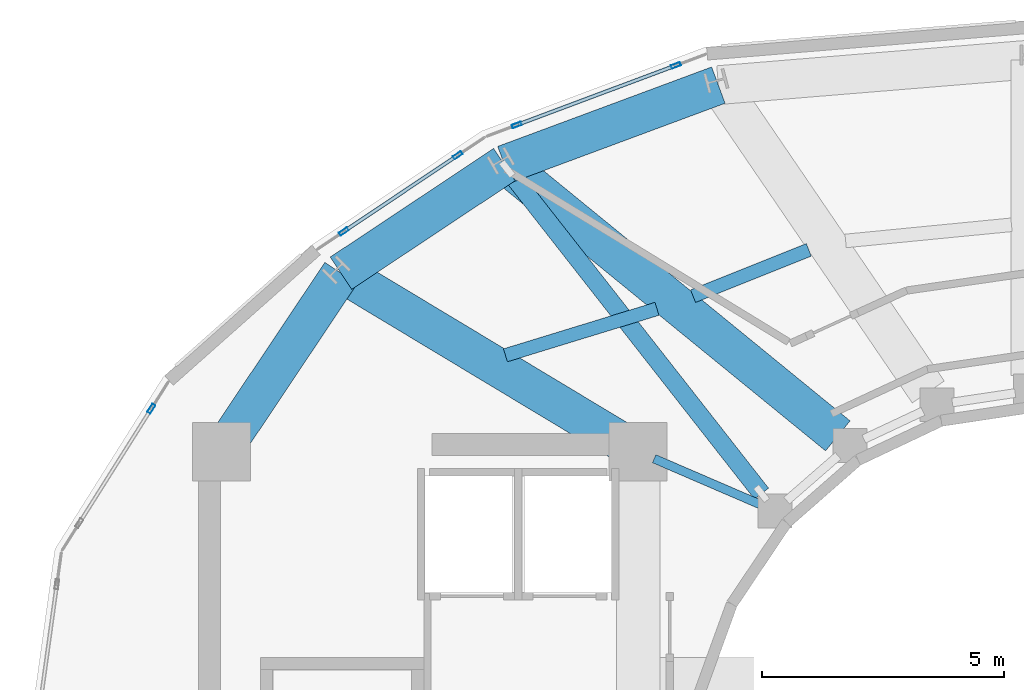
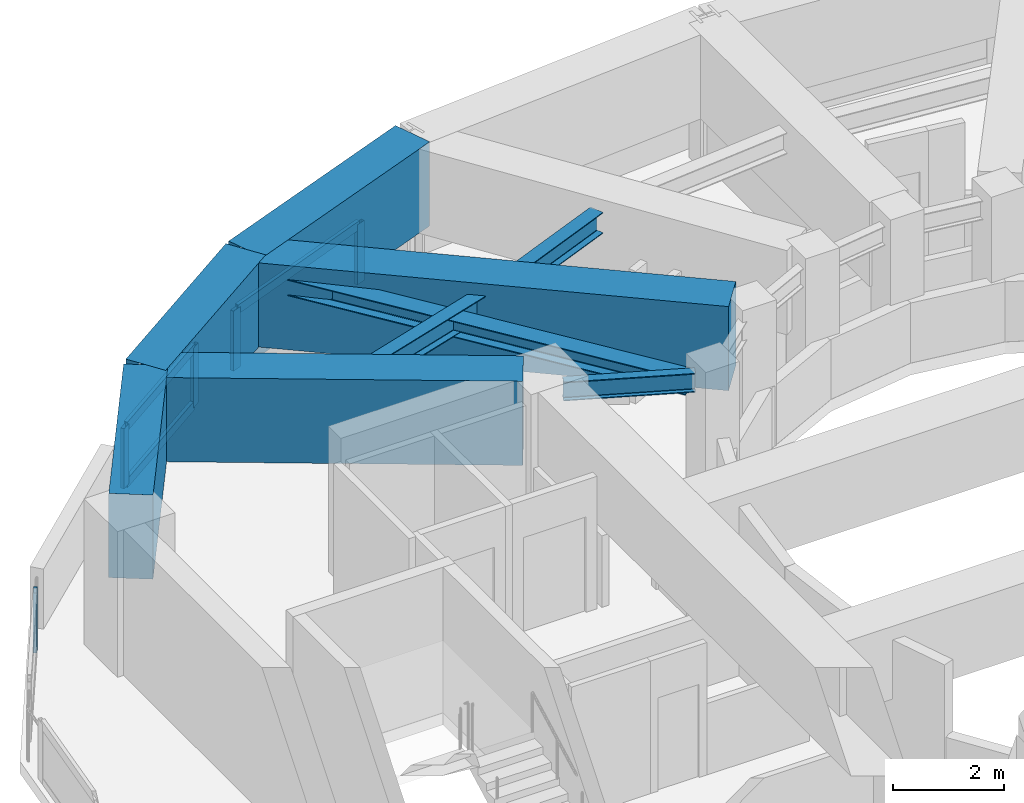
# One storey, part 8 of 18: 10 members, 8 beams, 3 elements without a shape of their own.
"""IFC4 building model written with IfcOpenShell, lengths in metres."""

from ifc_helpers import new_model, si_unit, direction, frame, origin, origin_2d, place, context, subcontext, project, spatial, rectangle, hollow_rectangle, i_section, extrude, material, layer, layer_set, material_profile, profile_set, type_object, element, aggregate, save


model = new_model("IFC4")

# Units and contexts
model_context = context("Model", 3, precision=1e-05, world=origin(), true_north=direction((0.0, 1.0)))
body_context = subcontext(model_context, "Body", "Model", "MODEL_VIEW")
ifc_project = project(units=[si_unit("LENGTHUNIT", "METRE"), si_unit("AREAUNIT", "SQUARE_METRE"), si_unit("VOLUMEUNIT", "CUBIC_METRE"), si_unit("PLANEANGLEUNIT", "RADIAN"), si_unit("MASSUNIT", "GRAM", prefix="KILO")], contexts=[model_context])

# Site, building, storey
site_placement = place(None, origin())
site = spatial("IfcSite", under=ifc_project, at=site_placement, CompositionType="ELEMENT")
building_placement = place(site_placement, origin())
building = spatial("IfcBuilding", under=site, at=building_placement, Name="Solvane Sanctuary Tower", CompositionType="ELEMENT")
storey_placement = place(building_placement, frame((0.0, 0.0, 263.60009765625)))
storey = spatial("IfcBuildingStorey", under=building, at=storey_placement, Name="L80", CompositionType="ELEMENT", Elevation=263.60009765625)

# Beams
ifc_material_1 = material(Name="Steel ASTM A992 Grade 50", Category="steel")
ifc_material_profile_1 = material_profile(ifc_material_1, i_section(OverallWidth=0.180908203125, OverallDepth=0.4169921875, WebThickness=0.010986328125, FlangeThickness=0.018310546875, FilletRadius=0.012939453125, at=origin_2d()), Name="W16X57")
ifc_profile_set_1 = profile_set([ifc_material_profile_1], Name="Steel ASTM A992 Grade 50")
beam_type_1 = type_object("IfcBeamType", Name="Beam B-ROOF-BM W16X57", PredefinedType="BEAM", material=ifc_profile_set_1)
beam_1_placement = place(storey_placement, frame((24.230712890625, 30.0576171875, 2.7294921875), z_axis=(0.918283854026, -0.395922673554, 0.0), x_axis=(0.395922673554, 0.918283854026, 0.0)))
element("IfcBeam", 1, at=beam_1_placement, inside=storey, type_object=beam_type_1, Name="L80 Inner Light-Well Ring Beam CW3-IC07", PredefinedType="BEAM", context=body_context, shape_type="SweptSolid", body=[
    extrude(i_section(OverallWidth=0.180908203125, OverallDepth=0.4169921875, WebThickness=0.010986328125, FlangeThickness=0.018310546875, FilletRadius=0.012939453125, at=origin_2d()), origin(), (0.0, 0.0, 1.0), 2.396240234375),
])
ifc_material_profile_2 = material_profile(ifc_material_1, i_section(OverallWidth=0.280029296875, OverallDepth=0.462890625, WebThickness=0.0107421875, FlangeThickness=0.017333984375, FilletRadius=0.013916015625, at=origin_2d()), Name="W18X76")
ifc_profile_set_2 = profile_set([ifc_material_profile_2], Name="Steel ASTM A992 Grade 50")
beam_type_2 = type_object("IfcBeamType", Name="Beam B-SEC-JOIST W18X76", PredefinedType="JOIST", material=ifc_profile_set_2)
beam_2_placement = place(storey_placement, frame((21.160888671875, 32.19189453125, 2.706298828125), z_axis=(0.956067313295, 0.293147219755, 0.0), x_axis=(-0.293147219755, 0.956067313295, 0.0)))
element("IfcBeam", 2, at=beam_2_placement, inside=storey, type_object=beam_type_2, Name="L80 Secondary Circumferential Joist 07-06", PredefinedType="JOIST", context=body_context, shape_type="SweptSolid", body=[
    extrude(i_section(OverallWidth=0.280029296875, OverallDepth=0.462890625, WebThickness=0.0107421875, FlangeThickness=0.017333984375, FilletRadius=0.013916015625, at=origin_2d()), origin(), (0.0, 0.0, 1.0), 3.272216796875),
])
beam_3_placement = place(storey_placement, frame((25.03369140625, 33.413330078125, 2.706298828125), z_axis=(0.928646716037, 0.370965330987, 0.0), x_axis=(-0.370965330987, 0.928646716037, 0.0)))
element("IfcBeam", 3, at=beam_3_placement, inside=storey, type_object=beam_type_2, Name="L80 Secondary Circumferential Joist 06-05", PredefinedType="JOIST", context=body_context, shape_type="SweptSolid", body=[
    extrude(i_section(OverallWidth=0.280029296875, OverallDepth=0.462890625, WebThickness=0.0107421875, FlangeThickness=0.017333984375, FilletRadius=0.013916015625, at=origin_2d()), origin(), (0.0, 0.0, 1.0), 2.5732421875),
])
ifc_material_2 = material(Name="Concrete C70/85", Category="concrete")
ifc_material_profile_3 = material_profile(ifc_material_2, rectangle(XDim=0.800048828125, YDim=1.85009765625, at=origin_2d()), Name="RC800X1850")
ifc_profile_set_3 = profile_set([ifc_material_profile_3], Name="Concrete C70/85")
beam_type_3 = type_object("IfcBeamType", Name="Beam B-XFER-BLK RC800X1850", PredefinedType="BEAM", material=ifc_profile_set_3)
beam_4_placement = place(storey_placement, frame((28.022216796875, 30.52880859375, 2.27490234375), z_axis=(-0.774760127624, 0.632255284394, 0.0), x_axis=(-0.632255284394, -0.774760127624, 0.0)))
element("IfcBeam", 4, at=beam_4_placement, inside=storey, type_object=beam_type_3, Name="L80 Block-Shift Radial Transfer Girder 06A", PredefinedType="BEAM", context=body_context, shape_type="SweptSolid", body=[
    extrude(rectangle(XDim=0.800048828125, YDim=1.85009765625, at=origin_2d()), origin(), (0.0, 0.0, 1.0), 8.88134765625),
])
beam_5_placement = place(storey_placement, frame((23.591552734375, 30.3857421875, 2.27490234375), z_axis=(-0.856761950068, 0.515712091108, 0.0), x_axis=(-0.515712091108, -0.856761950068, 0.0)))
element("IfcBeam", 5, at=beam_5_placement, inside=storey, type_object=beam_type_3, Name="L80 Block-Shift Radial Transfer Girder 07A", PredefinedType="BEAM", context=body_context, shape_type="SweptSolid", body=[
    extrude(rectangle(XDim=0.800048828125, YDim=1.85009765625, at=origin_2d()), origin(), (0.0, 0.0, 1.0), 6.815673828125),
])
beam_6_placement = place(storey_placement, frame((15.5, 30.499267578125, 2.27490234375), z_axis=(0.555943545236, 0.831220051798, 0.0), x_axis=(-0.831220051798, 0.555943545236, 0.0)))
element("IfcBeam", 6, at=beam_6_placement, inside=storey, type_object=beam_type_3, Name="L80 Perimeter Step Transfer Ring CW4-NTC07", PredefinedType="BEAM", context=body_context, shape_type="SweptSolid", body=[
    extrude(rectangle(XDim=0.800048828125, YDim=1.85009765625, at=origin_2d()), origin(), (0.0, 0.0, 1.0), 4.076171875),
])
beam_7_placement = place(storey_placement, frame((17.76611328125, 33.887451171875, 2.27490234375), z_axis=(0.832902394686, 0.553419913742, 0.0), x_axis=(-0.553419913742, 0.832902394686, 0.0)))
element("IfcBeam", 7, at=beam_7_placement, inside=storey, type_object=beam_type_3, Name="L80 Perimeter Step Transfer Ring NTC07-NTC06", PredefinedType="BEAM", context=body_context, shape_type="SweptSolid", body=[
    extrude(rectangle(XDim=0.800048828125, YDim=1.85009765625, at=origin_2d()), origin(), (0.0, 0.0, 1.0), 4.050537109375),
])
beam_8_placement = place(storey_placement, frame((21.139892578125, 36.129150390625, 2.27490234375), z_axis=(0.937427688281, 0.348180024188, 0.0), x_axis=(-0.348180024188, 0.937427688281, 0.0)))
element("IfcBeam", 8, at=beam_8_placement, inside=storey, type_object=beam_type_3, Name="L80 Perimeter Step Transfer Ring NTC06-NTC05", PredefinedType="BEAM", context=body_context, shape_type="SweptSolid", body=[
    extrude(rectangle(XDim=0.800048828125, YDim=1.85009765625, at=origin_2d()), origin(), (0.0, 0.0, 1.0), 4.711181640625),
])

# Member
ifc_material_profile_4 = material_profile(ifc_material_1, i_section(OverallWidth=0.368896484375, OverallDepth=0.35595703125, WebThickness=0.01123046875, FlangeThickness=0.01806640625, FilletRadius=0.02490234375, at=origin_2d()), Name="W14X90")
ifc_profile_set_4 = profile_set([ifc_material_profile_4], Name="Steel ASTM A992 Grade 50")
member_type_1 = type_object("IfcMemberType", Name="Member M-CROWN-TIE W14X90", PredefinedType="CHORD", material=ifc_profile_set_4)
member_1_placement = place(storey_placement, frame((26.444580078125, 29.33984375, 2.540283203125), z_axis=(-0.61657715967, 0.786962266432, 0.022869136088), x_axis=(-0.787168136792, -0.616738457062, 0.0)))
element("IfcMember", 9, at=member_1_placement, inside=storey, type_object=member_type_1, Name="L80 Crown Bracing Tie 07", PredefinedType="CHORD", context=body_context, shape_type="SweptSolid", body=[
    extrude(i_section(OverallWidth=0.368896484375, OverallDepth=0.35595703125, WebThickness=0.01123046875, FlangeThickness=0.01806640625, FilletRadius=0.02490234375, at=origin_2d()), origin(), (0.0, 0.0, 1.0), 8.50830078125),
])

# Curtain wall, members
ifc_material_3 = material(Name="Anodised Aluminium 6063-T6", Category="aluminium")
ifc_layer = layer(ifc_material_3, 0.219970703125, Name="Anodised Aluminium 6063-T6")
ifc_layer_set = layer_set([ifc_layer], Name="Anodised Aluminium 6063-T6")
curtain_wall_type = type_object("IfcCurtainWallType", Name="Curtain Wall CW-CROWN", PredefinedType="NOTDEFINED", material=ifc_layer_set)
curtain_wall_1_placement = place(storey_placement, origin())
curtain_wall_1 = element("IfcCurtainWall", 10, at=curtain_wall_1_placement, inside=storey, type_object=curtain_wall_type, Name="L80 Crown Fritted Lantern Curtain Wall 07", PredefinedType="NOTDEFINED")
ifc_material_profile_5 = material_profile(ifc_material_3, hollow_rectangle(XDim=0.074951171875, YDim=0.199951171875, WallThickness=0.00390625, at=origin_2d()), Name="ALU200X75X4")
ifc_profile_set_5 = profile_set([ifc_material_profile_5], Name="Anodised Aluminium 6063-T6")
member_type_2 = type_object("IfcMemberType", Name="Member M-CW-MUL-1 ALU200X75X4", PredefinedType="MULLION", material=ifc_profile_set_5)
member_2_placement = place(storey_placement, frame((24.680419921875, 38.17626953125, 0.0), z_axis=(0.0, 0.0, 1.0), x_axis=(0.350518151106, -0.936555938396, 0.0)))
member_2 = element("IfcMember", 11, at=member_2_placement, type_object=member_type_2, Name="CW-CROWN mullion 1", PredefinedType="MULLION", context=body_context, shape_type="SweptSolid", body=[
    extrude(hollow_rectangle(XDim=0.074951171875, YDim=0.199951171875, WallThickness=0.00390625, at=origin_2d()), origin(), (0.0, 0.0, 1.0), 1.31982421875),
])
member_3_placement = place(storey_placement, frame((21.392822265625, 36.946044921875, 0.0), z_axis=(0.0, 0.0, 1.0), x_axis=(0.350518151106, -0.936555938396, 0.0)))
member_3 = element("IfcMember", 12, at=member_3_placement, type_object=member_type_2, Name="CW-CROWN mullion 2", PredefinedType="MULLION", context=body_context, shape_type="SweptSolid", body=[
    extrude(hollow_rectangle(XDim=0.074951171875, YDim=0.199951171875, WallThickness=0.00390625, at=origin_2d()), origin(), (0.0, 0.0, 1.0), 1.31982421875),
])

curtain_wall_2_placement = place(storey_placement, origin())
curtain_wall_2 = element("IfcCurtainWall", 13, at=curtain_wall_2_placement, inside=storey, type_object=curtain_wall_type, Name="L80 Crown Fritted Lantern Curtain Wall 08", PredefinedType="NOTDEFINED")
member_4_placement = place(storey_placement, frame((20.177734375, 36.322509765625, 0.0), z_axis=(0.0, 0.0, 1.0), x_axis=(0.556279331945, -0.830995369933, 0.0)))
member_4 = element("IfcMember", 14, at=member_4_placement, type_object=member_type_2, Name="CW-CROWN mullion 1", PredefinedType="MULLION", context=body_context, shape_type="SweptSolid", body=[
    extrude(hollow_rectangle(XDim=0.074951171875, YDim=0.199951171875, WallThickness=0.00390625, at=origin_2d()), origin(), (0.0, 0.0, 1.0), 1.31982421875),
])
member_5_placement = place(storey_placement, frame((17.824951171875, 34.74755859375, 0.0), z_axis=(0.0, 0.0, 1.0), x_axis=(0.556279331945, -0.830995369933, 0.0)))
member_5 = element("IfcMember", 15, at=member_5_placement, type_object=member_type_2, Name="CW-CROWN mullion 2", PredefinedType="MULLION", context=body_context, shape_type="SweptSolid", body=[
    extrude(hollow_rectangle(XDim=0.074951171875, YDim=0.199951171875, WallThickness=0.00390625, at=origin_2d()), origin(), (0.0, 0.0, 1.0), 1.31982421875),
])

# Curtain wall, member
curtain_wall_3_placement = place(storey_placement, origin())
curtain_wall_3 = element("IfcCurtainWall", 16, at=curtain_wall_3_placement, inside=storey, type_object=curtain_wall_type, Name="L80 Crown Fritted Lantern Curtain Wall 10", PredefinedType="NOTDEFINED")
member_6_placement = place(storey_placement, frame((13.85107421875, 31.089599609375, 0.0), z_axis=(0.0, 0.0, 1.0), x_axis=(0.846086642635, -0.533045395022, 0.0)))
member_6 = element("IfcMember", 17, at=member_6_placement, type_object=member_type_2, Name="CW-CROWN mullion 1", PredefinedType="MULLION", context=body_context, shape_type="SweptSolid", body=[
    extrude(hollow_rectangle(XDim=0.074951171875, YDim=0.199951171875, WallThickness=0.00390625, at=origin_2d()), origin(), (0.0, 0.0, 1.0), 1.31982421875),
])
aggregate(curtain_wall_3, [member_6])

# Member
ifc_material_profile_6 = material_profile(ifc_material_3, hollow_rectangle(XDim=0.074951171875, YDim=0.199951171875, WallThickness=0.00390625, at=origin_2d()), Name="ALU200X75X4")
ifc_profile_set_6 = profile_set([ifc_material_profile_6], Name="Anodised Aluminium 6063-T6")
member_type_3 = type_object("IfcMemberType", Name="Member M-CW-TRN-2 ALU200X75X4", PredefinedType="USERDEFINED", material=ifc_profile_set_6)
member_7_placement = place(storey_placement, frame((24.645263671875, 38.163330078125, 0.037353515625), z_axis=(-0.936533460905, -0.350578203266, 0.0), x_axis=(0.350578203266, -0.936533460905, 0.0)))
member_7 = element("IfcMember", 18, at=member_7_placement, type_object=member_type_3, Name="CW-CROWN transom 1.1", ObjectType="TRANSOM", PredefinedType="USERDEFINED", context=body_context, shape_type="SweptSolid", body=[
    extrude(hollow_rectangle(XDim=0.074951171875, YDim=0.199951171875, WallThickness=0.00390625, at=origin_2d()), origin(), (0.0, 0.0, 1.0), 3.435302734375),
])

member_8_placement = place(storey_placement, frame((24.645263671875, 38.163330078125, 1.282470703125), z_axis=(-0.936533460905, -0.350578203266, 0.0), x_axis=(0.350578203266, -0.936533460905, 0.0)))
member_8 = element("IfcMember", 19, at=member_8_placement, type_object=member_type_3, Name="CW-CROWN transom 1.2", ObjectType="TRANSOM", PredefinedType="USERDEFINED", context=body_context, shape_type="SweptSolid", body=[
    extrude(hollow_rectangle(XDim=0.074951171875, YDim=0.199951171875, WallThickness=0.00390625, at=origin_2d()), origin(), (0.0, 0.0, 1.0), 3.435302734375),
])

aggregate(curtain_wall_1, [member_2, member_3, member_7, member_8])

member_9_placement = place(storey_placement, frame((20.146484375, 36.3017578125, 0.037353515625), z_axis=(-0.830972250361, -0.556313867461, 0.0), x_axis=(0.556313867461, -0.830972250361, 0.0)))
member_9 = element("IfcMember", 20, at=member_9_placement, type_object=member_type_3, Name="CW-CROWN transom 1.1", ObjectType="TRANSOM", PredefinedType="USERDEFINED", context=body_context, shape_type="SweptSolid", body=[
    extrude(hollow_rectangle(XDim=0.074951171875, YDim=0.199951171875, WallThickness=0.00390625, at=origin_2d()), origin(), (0.0, 0.0, 1.0), 2.75634765625),
])

member_10_placement = place(storey_placement, frame((20.146484375, 36.3017578125, 1.282470703125), z_axis=(-0.830972250361, -0.556313867461, 0.0), x_axis=(0.556313867461, -0.830972250361, 0.0)))
member_10 = element("IfcMember", 21, at=member_10_placement, type_object=member_type_3, Name="CW-CROWN transom 1.2", ObjectType="TRANSOM", PredefinedType="USERDEFINED", context=body_context, shape_type="SweptSolid", body=[
    extrude(hollow_rectangle(XDim=0.074951171875, YDim=0.199951171875, WallThickness=0.00390625, at=origin_2d()), origin(), (0.0, 0.0, 1.0), 2.75634765625),
])

aggregate(curtain_wall_2, [member_4, member_5, member_9, member_10])

save(model, "model.ifc")
